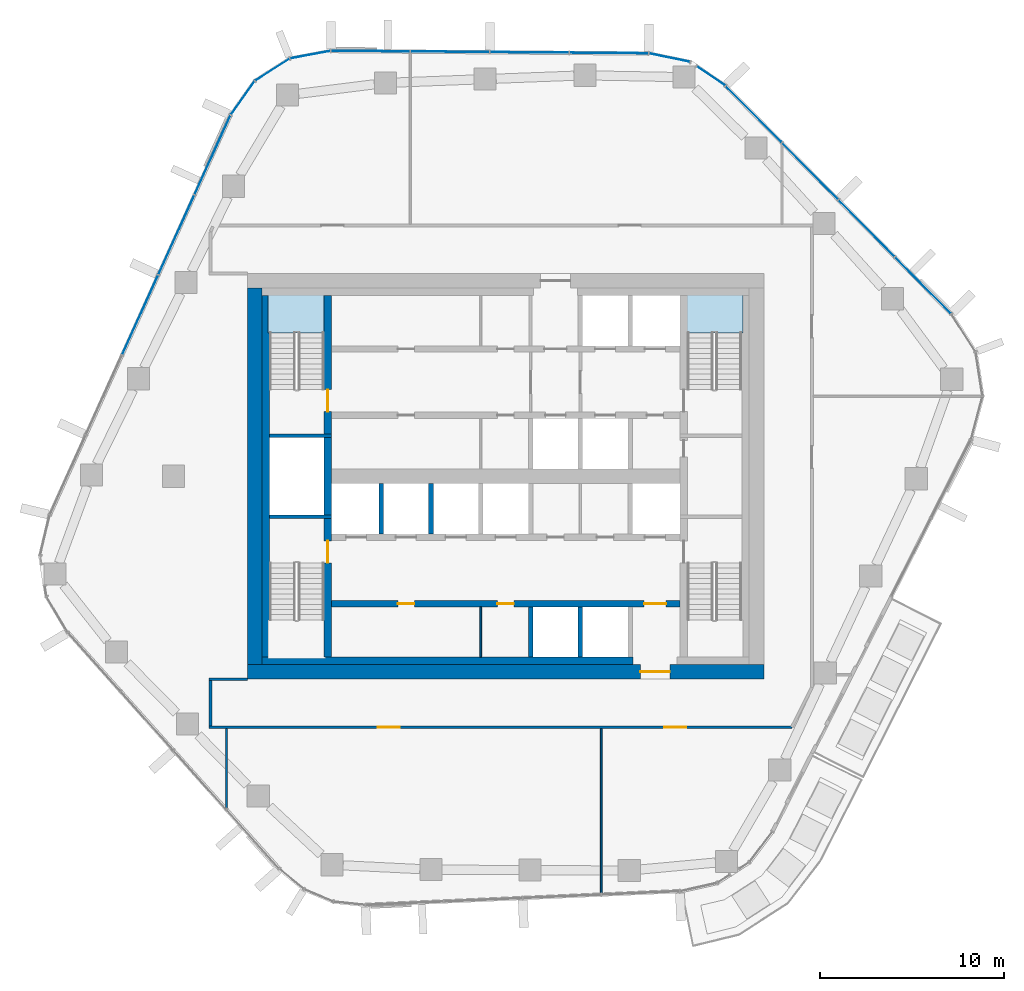
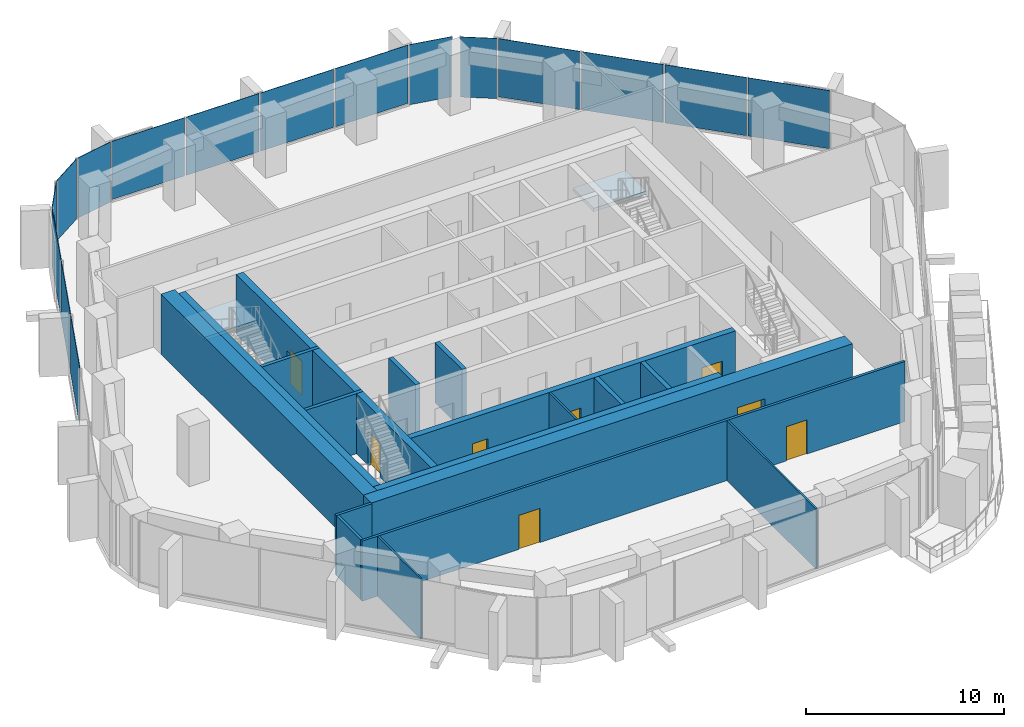
# One storey, part 10 of 17: 20 walls, 16 plates, 8 doors, 2 slabs, 8 openings, 8 elements without a shape of their own.
"""IFC4 building model written with IfcOpenShell, lengths in metres."""

from ifc_helpers import new_model, si_unit, direction, frame, frame_2d, origin, origin_2d, place, context, subcontext, project, spatial, polyline, rectangle, outline, extrude, material, layer, layer_set, type_object, element, fill, aggregate, save


model = new_model("IFC4")

# Units and contexts
model_context = context("Model", 3, precision=1e-05, world=origin(), true_north=direction((0.0, 1.0)))
body_context = subcontext(model_context, "Body", "Model", "MODEL_VIEW")
ifc_project = project(units=[si_unit("LENGTHUNIT", "METRE"), si_unit("AREAUNIT", "SQUARE_METRE"), si_unit("VOLUMEUNIT", "CUBIC_METRE"), si_unit("PLANEANGLEUNIT", "RADIAN"), si_unit("MASSUNIT", "GRAM", prefix="KILO")], contexts=[model_context])

# Site, building, storey
site_placement = place(None, origin())
site = spatial("IfcSite", under=ifc_project, at=site_placement, CompositionType="ELEMENT")
building_placement = place(site_placement, origin())
building = spatial("IfcBuilding", under=site, at=building_placement, Name="Dongbaek Canopy Tower", CompositionType="ELEMENT")
storey_placement = place(building_placement, frame((0.0, 0.0, 179.60009765625)))
storey = spatial("IfcBuildingStorey", under=building, at=storey_placement, Name="L39", CompositionType="ELEMENT", Elevation=179.60009765625)

# Curtain wall, plates
ifc_material_1 = material(Name="Aluminium 6063-T6 pale anodised", Category="aluminium")
ifc_layer_1 = layer(ifc_material_1, 0.199951171875)
ifc_layer_set_1 = layer_set([ifc_layer_1], Name="CW-1 unitised tower curtain wall")
curtain_wall_type = type_object("IfcCurtainWallType", Name="CW-1 unitised tower curtain wall", PredefinedType="NOTDEFINED", material=ifc_layer_set_1)
curtain_wall_1_placement = place(storey_placement, origin())
curtain_wall_1 = element("IfcCurtainWall", 1, at=curtain_wall_1_placement, inside=storey, type_object=curtain_wall_type, Name="CW-1 curtain wall F0.1", PredefinedType="NOTDEFINED")
ifc_material_2 = material(Name="Clear laminated glass", Category="glass")
ifc_layer_2 = layer(ifc_material_2, 0.028076171875)
ifc_layer_set_2 = layer_set([ifc_layer_2], Name="CW-1 glazed panel 28")
plate_type = type_object("IfcPlateType", Name="CW-1 glazed panel 28", PredefinedType="CURTAIN_PANEL", material=ifc_layer_set_2)
plate_1_placement = place(storey_placement, frame((22.62158203125, 10.3505859375, 0.119873046875), z_axis=(0.0, 0.0, 1.0), x_axis=(-0.703200745857, 0.710991357912, 0.0)))
plate_1 = element("IfcPlate", 2, at=plate_1_placement, type_object=plate_type, Name="CW-1 panel F0.1.1.1", PredefinedType="CURTAIN_PANEL", context=body_context, shape_type="SweptSolid", body=[
    extrude(rectangle(XDim=4.25732421875, YDim=0.028076171875, at=origin_2d()), origin(), (0.0, 0.0, 1.0), 3.580078125),
])
plate_2_placement = place(storey_placement, frame((19.56494140625, 13.44091796875, 0.119873046875), z_axis=(0.0, 0.0, 1.0), x_axis=(-0.703200745857, 0.710991357912, 0.0)))
plate_2 = element("IfcPlate", 3, at=plate_2_placement, type_object=plate_type, Name="CW-1 panel F0.1.2.1", PredefinedType="CURTAIN_PANEL", context=body_context, shape_type="SweptSolid", body=[
    extrude(rectangle(XDim=4.267822265625, YDim=0.028076171875, at=origin_2d()), origin(), (0.0, 0.0, 1.0), 3.580078125),
])
plate_3_placement = place(storey_placement, frame((16.504638671875, 16.534912109375, 0.119873046875), z_axis=(0.0, 0.0, 1.0), x_axis=(-0.703200745857, 0.710991357912, 0.0)))
plate_3 = element("IfcPlate", 4, at=plate_3_placement, type_object=plate_type, Name="CW-1 panel F0.1.3.1", PredefinedType="CURTAIN_PANEL", context=body_context, shape_type="SweptSolid", body=[
    extrude(rectangle(XDim=4.267822265625, YDim=0.028076171875, at=origin_2d()), origin(), (0.0, 0.0, 1.0), 3.580078125),
])
plate_4_placement = place(storey_placement, frame((13.447998046875, 19.62548828125, 0.119873046875), z_axis=(0.0, 0.0, 1.0), x_axis=(-0.703200745857, 0.710991357912, 0.0)))
plate_4 = element("IfcPlate", 5, at=plate_4_placement, type_object=plate_type, Name="CW-1 panel F0.1.4.1", PredefinedType="CURTAIN_PANEL", context=body_context, shape_type="SweptSolid", body=[
    extrude(rectangle(XDim=4.258056640625, YDim=0.028076171875, at=origin_2d()), origin(), (0.0, 0.0, 1.0), 3.580078125),
])
aggregate(curtain_wall_1, [plate_1, plate_2, plate_3, plate_4])

# Curtain wall, plate
curtain_wall_2_placement = place(storey_placement, origin())
curtain_wall_2 = element("IfcCurtainWall", 6, at=curtain_wall_2_placement, inside=storey, type_object=curtain_wall_type, Name="CW-1 curtain wall K1.1a", PredefinedType="NOTDEFINED")
plate_5_placement = place(storey_placement, frame((11.130126953125, 21.704833984375, 0.0), z_axis=(0.0, 0.0, 1.0), x_axis=(-0.828068850106, 0.560626417041, 0.0)))
plate_5 = element("IfcPlate", 7, at=plate_5_placement, type_object=plate_type, Name="CW-1 panel K1.1a.1.1", PredefinedType="CURTAIN_PANEL", context=body_context, shape_type="SweptSolid", body=[
    extrude(rectangle(XDim=1.8271484375, YDim=0.028076171875, at=origin_2d()), origin(), (0.0, 0.0, 1.0), 3.699951171875),
])
aggregate(curtain_wall_2, [plate_5])

curtain_wall_3_placement = place(storey_placement, origin())
curtain_wall_3 = element("IfcCurtainWall", 8, at=curtain_wall_3_placement, inside=storey, type_object=curtain_wall_type, Name="CW-1 curtain wall K1.1b", PredefinedType="NOTDEFINED")
plate_6_placement = place(storey_placement, frame((8.884521484375, 22.694091796875, 0.0), z_axis=(0.0, 0.0, 1.0), x_axis=(-0.979342534744, 0.202208307545, 0.0)))
plate_6 = element("IfcPlate", 9, at=plate_6_placement, type_object=plate_type, Name="CW-1 panel K1.1b.1.1", PredefinedType="CURTAIN_PANEL", context=body_context, shape_type="SweptSolid", body=[
    extrude(rectangle(XDim=2.220458984375, YDim=0.028076171875, at=origin_2d()), origin(), (0.0, 0.0, 1.0), 3.699951171875),
])
aggregate(curtain_wall_3, [plate_6])

# Curtain wall, plates
curtain_wall_4_placement = place(storey_placement, origin())
curtain_wall_4 = element("IfcCurtainWall", 10, at=curtain_wall_4_placement, inside=storey, type_object=curtain_wall_type, Name="CW-1 curtain wall F1.1", PredefinedType="NOTDEFINED")
plate_7_placement = place(storey_placement, frame((5.6044921875, 22.944091796875, 0.119873046875), z_axis=(0.0, 0.0, 1.0), x_axis=(-0.999969209426, 0.007847305301, 0.0)))
plate_7 = element("IfcPlate", 11, at=plate_7_placement, type_object=plate_type, Name="CW-1 panel F1.1.1.1", PredefinedType="CURTAIN_PANEL", context=body_context, shape_type="SweptSolid", body=[
    extrude(rectangle(XDim=4.219482421875, YDim=0.028076171875, at=origin_2d()), origin(), (0.0, 0.0, 1.0), 3.580078125),
])
plate_8_placement = place(storey_placement, frame((1.296142578125, 22.977783203125, 0.119873046875), z_axis=(0.0, 0.0, 1.0), x_axis=(-0.999969209426, 0.007847305301, 0.0)))
plate_8 = element("IfcPlate", 12, at=plate_8_placement, type_object=plate_type, Name="CW-1 panel F1.1.2.1", PredefinedType="CURTAIN_PANEL", context=body_context, shape_type="SweptSolid", body=[
    extrude(rectangle(XDim=4.229248046875, YDim=0.028076171875, at=origin_2d()), origin(), (0.0, 0.0, 1.0), 3.580078125),
])
plate_9_placement = place(storey_placement, frame((-3.016845703125, 23.01171875, 0.119873046875), z_axis=(0.0, 0.0, 1.0), x_axis=(-0.999969209426, 0.007847305301, 0.0)))
plate_9 = element("IfcPlate", 13, at=plate_9_placement, type_object=plate_type, Name="CW-1 panel F1.1.3.1", PredefinedType="CURTAIN_PANEL", context=body_context, shape_type="SweptSolid", body=[
    extrude(rectangle(XDim=4.229248046875, YDim=0.028076171875, at=origin_2d()), origin(), (0.0, 0.0, 1.0), 3.580078125),
])
plate_10_placement = place(storey_placement, frame((-7.3251953125, 23.04541015625, 0.119873046875), z_axis=(0.0, 0.0, 1.0), x_axis=(-0.999969209426, 0.007847305301, 0.0)))
plate_10 = element("IfcPlate", 14, at=plate_10_placement, type_object=plate_type, Name="CW-1 panel F1.1.4.1", PredefinedType="CURTAIN_PANEL", context=body_context, shape_type="SweptSolid", body=[
    extrude(rectangle(XDim=4.219482421875, YDim=0.028076171875, at=origin_2d()), origin(), (0.0, 0.0, 1.0), 3.580078125),
])
aggregate(curtain_wall_4, [plate_7, plate_8, plate_9, plate_10])

curtain_wall_5_placement = place(storey_placement, origin())
curtain_wall_5 = element("IfcCurtainWall", 15, at=curtain_wall_5_placement, inside=storey, type_object=curtain_wall_type, Name="CW-1 curtain wall K2.1", PredefinedType="NOTDEFINED")
plate_11_placement = place(storey_placement, frame((-10.58984375, 22.854736328125, 0.0), z_axis=(0.0, 0.0, 1.0), x_axis=(-0.983033498576, -0.183426117763, 0.0)))
plate_11 = element("IfcPlate", 16, at=plate_11_placement, type_object=plate_type, Name="CW-1 panel K2.1.1.1", PredefinedType="CURTAIN_PANEL", context=body_context, shape_type="SweptSolid", body=[
    extrude(rectangle(XDim=2.180419921875, YDim=0.028076171875, at=origin_2d()), origin(), (0.0, 0.0, 1.0), 3.699951171875),
])
plate_12_placement = place(storey_placement, frame((-12.652587890625, 22.03955078125, 0.0), z_axis=(0.0, 0.0, 1.0), x_axis=(-0.842382800388, -0.538879594724, 0.0)))
plate_12 = element("IfcPlate", 17, at=plate_12_placement, type_object=plate_type, Name="CW-1 panel K2.1.2.1", PredefinedType="CURTAIN_PANEL", context=body_context, shape_type="SweptSolid", body=[
    extrude(rectangle(XDim=2.170654296875, YDim=0.028076171875, at=origin_2d()), origin(), (0.0, 0.0, 1.0), 3.699951171875),
])
plate_13_placement = place(storey_placement, frame((-14.25732421875, 20.508544921875, 0.0), z_axis=(0.0, 0.0, 1.0), x_axis=(-0.578634877813, -0.815586707946, 0.0)))
plate_13 = element("IfcPlate", 18, at=plate_13_placement, type_object=plate_type, Name="CW-1 panel K2.1.3.1", PredefinedType="CURTAIN_PANEL", context=body_context, shape_type="SweptSolid", body=[
    extrude(rectangle(XDim=2.180419921875, YDim=0.028076171875, at=origin_2d()), origin(), (0.0, 0.0, 1.0), 3.699951171875),
])
aggregate(curtain_wall_5, [plate_11, plate_12, plate_13])

curtain_wall_6_placement = place(storey_placement, origin())
curtain_wall_6 = element("IfcCurtainWall", 19, at=curtain_wall_6_placement, inside=storey, type_object=curtain_wall_type, Name="CW-1 curtain wall F2.1", PredefinedType="NOTDEFINED")
plate_14_placement = place(storey_placement, frame((-15.8916015625, 17.420654296875, 0.119873046875), z_axis=(0.0, 0.0, 1.0), x_axis=(-0.412080199763, -0.911147578037, 0.0)))
plate_14 = element("IfcPlate", 20, at=plate_14_placement, type_object=plate_type, Name="CW-1 panel F2.1.1.1", PredefinedType="CURTAIN_PANEL", context=body_context, shape_type="SweptSolid", body=[
    extrude(rectangle(XDim=4.667236328125, YDim=0.028076171875, at=origin_2d()), origin(), (0.0, 0.0, 1.0), 3.580078125),
])
plate_15_placement = place(storey_placement, frame((-17.8515625, 13.0869140625, 0.119873046875), z_axis=(0.0, 0.0, 1.0), x_axis=(-0.412080199763, -0.911147578037, 0.0)))
plate_15 = element("IfcPlate", 21, at=plate_15_placement, type_object=plate_type, Name="CW-1 panel F2.1.2.1", PredefinedType="CURTAIN_PANEL", context=body_context, shape_type="SweptSolid", body=[
    extrude(rectangle(XDim=4.677001953125, YDim=0.028076171875, at=origin_2d()), origin(), (0.0, 0.0, 1.0), 3.580078125),
])
plate_16_placement = place(storey_placement, frame((-19.8134765625, 8.7490234375, 0.119873046875), z_axis=(0.0, 0.0, 1.0), x_axis=(-0.412080199763, -0.911147578037, 0.0)))
plate_16 = element("IfcPlate", 22, at=plate_16_placement, type_object=plate_type, Name="CW-1 panel F2.1.3.1", PredefinedType="CURTAIN_PANEL", context=body_context, shape_type="SweptSolid", body=[
    extrude(rectangle(XDim=4.677001953125, YDim=0.028076171875, at=origin_2d()), origin(), (0.0, 0.0, 1.0), 3.580078125),
])
aggregate(curtain_wall_6, [plate_14, plate_15, plate_16])

# Stair, slab
ifc_material_3 = material(Name="Concrete C40/50", Category="concrete")
stair_type = type_object("IfcStairType", Name="Core exit stair", PredefinedType="HALF_TURN_STAIR", material=ifc_material_3)
stair_1_placement = place(storey_placement, origin())
stair_1 = element("IfcStair", 23, at=stair_1_placement, inside=storey, type_object=stair_type, Name="L39 exit stair A", PredefinedType="HALF_TURN_STAIR")
ifc_material_4 = material(Name="Concrete C40/50", Category="concrete")
ifc_layer_3 = layer(ifc_material_4, 0.199951171875)
ifc_layer_set_3 = layer_set([ifc_layer_3], Name="Core stair landing 200")
slab_type = type_object("IfcSlabType", Name="Core stair landing 200", PredefinedType="LANDING", material=ifc_layer_set_3)
slab_1_placement = place(storey_placement, frame((0.0, 0.0, 1.89990234375)))
slab_1 = element("IfcSlab", 24, at=slab_1_placement, type_object=slab_type, Name="ST-A landing 1", PredefinedType="LANDING", context=body_context, shape_type="SweptSolid", body=[
    extrude(outline(polyline([(12.875, 7.780029296875), (12.875, 9.875), (9.77490234375, 9.875), (9.77490234375, 7.780029296875), (12.875, 7.780029296875)])), origin(), (0.0, 0.0, 1.0), 0.199951171875),
])
aggregate(stair_1, [slab_1])

stair_2_placement = place(storey_placement, origin())
stair_2 = element("IfcStair", 25, at=stair_2_placement, inside=storey, type_object=stair_type, Name="L39 exit stair C", PredefinedType="HALF_TURN_STAIR")
slab_2_placement = place(storey_placement, frame((0.0, 0.0, 1.89990234375)))
slab_2 = element("IfcSlab", 26, at=slab_2_placement, type_object=slab_type, Name="ST-C landing 1", PredefinedType="LANDING", context=body_context, shape_type="SweptSolid", body=[
    extrude(outline(polyline([(-9.77490234375, 7.780029296875), (-9.77490234375, 9.875), (-12.875, 9.875), (-12.875, 7.780029296875), (-9.77490234375, 7.780029296875)])), origin(), (0.0, 0.0, 1.0), 0.199951171875),
])
aggregate(stair_2, [slab_2])

# Wall, openings, doors
ifc_material_5 = material(Name="Concrete C60/75", Category="concrete")
ifc_layer_4 = layer(ifc_material_5, 0.35009765625)
ifc_layer_set_4 = layer_set([ifc_layer_4], Name="Core lobby wall 350 Concrete C60/75")
wall_type_1 = type_object("IfcWallType", Name="Core lobby wall 350 Concrete C60/75", PredefinedType="SHEAR", material=ifc_layer_set_4)
wall_1_placement = place(storey_placement, frame((9.449951171875, -6.89990234375, 0.0), z_axis=(0.0, 0.0, 1.0), x_axis=(-1.0, 0.0, 0.0)))
wall_1 = element("IfcWall", 27, at=wall_1_placement, inside=storey, type_object=wall_type_1, Name="Core wall", PredefinedType="SHEAR", context=body_context, shape_type="SweptSolid", body=[
    extrude(rectangle(XDim=18.89990234375, YDim=0.35009765625, at=frame_2d((9.449951171875, 0.0))), origin(), (0.0, 0.0, 1.0), 3.699951171875),
])
opening_1_placement = place(wall_1_placement, frame((0.75, 0.0, 0.0)))
opening_1 = element("IfcOpeningElement", 28, at=opening_1_placement, cuts=wall_1, Name="Opening L39-D021", PredefinedType="OPENING", context=body_context, shape_type="SweptSolid", body=[
    extrude(rectangle(XDim=1.199951171875, YDim=2.10009765625, at=frame_2d((0.60009765625, 1.050048828125))), frame((0.0, 0.18505859375, 0.0), z_axis=(0.0, -1.0, 0.0), x_axis=(1.0, 0.0, 0.0)), (0.0, 0.0, 1.0), 0.3701171875),
])
opening_2_placement = place(wall_1_placement, frame((14.39990234375, 0.0, 0.0)))
opening_2 = element("IfcOpeningElement", 29, at=opening_2_placement, cuts=wall_1, Name="Opening L39-D028", PredefinedType="OPENING", context=body_context, shape_type="SweptSolid", body=[
    extrude(rectangle(XDim=0.89990234375, YDim=2.10009765625, at=frame_2d((0.449951171875, 1.050048828125))), frame((0.0, 0.18505859375, 0.0), z_axis=(0.0, -1.0, 0.0), x_axis=(1.0, 0.0, 0.0)), (0.0, 0.0, 1.0), 0.3701171875),
])
opening_3_placement = place(wall_1_placement, frame((9.0, 0.0, 0.0)))
opening_3 = element("IfcOpeningElement", 30, at=opening_3_placement, cuts=wall_1, Name="Opening L39-D029", PredefinedType="OPENING", context=body_context, shape_type="SweptSolid", body=[
    extrude(rectangle(XDim=0.89990234375, YDim=2.10009765625, at=frame_2d((0.449951171875, 1.050048828125))), frame((0.0, 0.18505859375, 0.0), z_axis=(0.0, -1.0, 0.0), x_axis=(1.0, 0.0, 0.0)), (0.0, 0.0, 1.0), 0.3701171875),
])
ifc_material_6 = material(Name="Steel", Category="steel")
door_type_1 = type_object("IfcDoorType", Name="Core room door 900 x 2100", OperationType="SINGLE_SWING_LEFT", PredefinedType="DOOR", material=ifc_material_6)
door_1_placement = place(opening_2_placement, origin())
door_1 = element("IfcDoor", 31, at=door_1_placement, inside=storey, type_object=door_type_1, Name="Door L39-D028", OperationType="SINGLE_SWING_RIGHT", OverallHeight=2.10009765625, OverallWidth=0.89990234375, PredefinedType="DOOR", context=body_context, shape_type="SweptSolid", body=[
    extrude(rectangle(XDim=0.89990234375, YDim=2.10009765625, at=frame_2d((0.449951171875, 1.050048828125))), frame((0.0, 0.02490234375, 0.0), z_axis=(0.0, -1.0, 0.0), x_axis=(1.0, 0.0, 0.0)), (0.0, 0.0, 1.0), 0.050048828125),
])
fill(opening_2, door_1)
door_2_placement = place(opening_3_placement, origin())
door_2 = element("IfcDoor", 32, at=door_2_placement, inside=storey, type_object=door_type_1, Name="Door L39-D029", OperationType="SINGLE_SWING_LEFT", OverallHeight=2.10009765625, OverallWidth=0.89990234375, PredefinedType="DOOR", context=body_context, shape_type="SweptSolid", body=[
    extrude(rectangle(XDim=0.89990234375, YDim=2.10009765625, at=frame_2d((0.449951171875, 1.050048828125))), frame((0.0, 0.02490234375, 0.0), z_axis=(0.0, -1.0, 0.0), x_axis=(1.0, 0.0, 0.0)), (0.0, 0.0, 1.0), 0.050048828125),
])
fill(opening_3, door_2)
ifc_material_7 = material(Name="Steel", Category="steel")
door_type_2 = type_object("IfcDoorType", Name="Fire lobby door 1200 x 2100", OperationType="SINGLE_SWING_LEFT", PredefinedType="DOOR", material=ifc_material_7)
door_3_placement = place(opening_1_placement, origin())
door_3 = element("IfcDoor", 33, at=door_3_placement, inside=storey, type_object=door_type_2, Name="Door L39-D021", OperationType="SINGLE_SWING_LEFT", OverallHeight=2.10009765625, OverallWidth=1.199951171875, PredefinedType="DOOR", context=body_context, shape_type="SweptSolid", body=[
    extrude(rectangle(XDim=1.199951171875, YDim=2.10009765625, at=frame_2d((0.60009765625, 1.050048828125))), frame((0.0, 0.02490234375, 0.0), z_axis=(0.0, -1.0, 0.0), x_axis=(1.0, 0.0, 0.0)), (0.0, 0.0, 1.0), 0.050048828125),
])
fill(opening_1, door_3)

# Wall, opening, door
ifc_material_8 = material(Name="Concrete C70/85", Category="concrete")
ifc_layer_5 = layer(ifc_material_8, 0.800048828125)
ifc_layer_set_5 = layer_set([ifc_layer_5], Name="Core outer wall 800 Concrete C70/85")
wall_type_2 = type_object("IfcWallType", Name="Core outer wall 800 Concrete C70/85", PredefinedType="SHEAR", material=ifc_layer_set_5)
wall_2_placement = place(storey_placement, frame((14.0, -10.60009765625, 0.0), z_axis=(0.0, 0.0, 1.0), x_axis=(-1.0, 0.0, 0.0)))
wall_2 = element("IfcWall", 34, at=wall_2_placement, inside=storey, type_object=wall_type_2, Name="Core wall", PredefinedType="SHEAR", context=body_context, shape_type="SweptSolid", body=[
    extrude(rectangle(XDim=28.0, YDim=0.800048828125, at=frame_2d((14.0, 0.0))), origin(), (0.0, 0.0, 1.0), 3.699951171875),
])
opening_4_placement = place(wall_2_placement, frame((5.10009765625, 0.0, 0.0)))
opening_4 = element("IfcOpeningElement", 35, at=opening_4_placement, cuts=wall_2, Name="Opening L39-D020", PredefinedType="OPENING", context=body_context, shape_type="SweptSolid", body=[
    extrude(rectangle(XDim=1.60009765625, YDim=2.10009765625, at=frame_2d((0.800048828125, 1.050048828125))), frame((0.0, 0.409912109375, 0.0), z_axis=(0.0, -1.0, 0.0), x_axis=(1.0, 0.0, 0.0)), (0.0, 0.0, 1.0), 0.820068359375),
])
ifc_material_9 = material(Name="Steel", Category="steel")
door_type_3 = type_object("IfcDoorType", Name="Core exit door 1600 x 2100", OperationType="DOUBLE_DOOR_SINGLE_SWING", PredefinedType="DOOR", material=ifc_material_9)
door_4_placement = place(opening_4_placement, origin())
door_4 = element("IfcDoor", 36, at=door_4_placement, inside=storey, type_object=door_type_3, Name="Core exit door", OperationType="DOUBLE_DOOR_SINGLE_SWING", OverallHeight=2.10009765625, OverallWidth=1.60009765625, PredefinedType="DOOR", context=body_context, shape_type="SweptSolid", body=[
    extrude(rectangle(XDim=1.60009765625, YDim=2.10009765625, at=frame_2d((0.800048828125, 1.050048828125))), frame((0.0, 0.02490234375, 0.0), z_axis=(0.0, -1.0, 0.0), x_axis=(1.0, 0.0, 0.0)), (0.0, 0.0, 1.0), 0.050048828125),
])
fill(opening_4, door_4)

# Walls
wall_3_placement = place(storey_placement, frame((-13.60009765625, -10.199951171875, 0.0), z_axis=(0.0, 0.0, 1.0), x_axis=(0.0, 1.0, 0.0)))
element("IfcWall", 37, at=wall_3_placement, inside=storey, type_object=wall_type_2, Name="Core wall", PredefinedType="SHEAR", context=body_context, shape_type="SweptSolid", body=[
    extrude(rectangle(XDim=20.39990234375, YDim=0.800048828125, at=frame_2d((10.199951171875, 0.0))), origin(), (0.0, 0.0, 1.0), 3.699951171875),
])
ifc_material_10 = material(Name="Concrete C60/75", Category="concrete")
ifc_layer_6 = layer(ifc_material_10, 0.39990234375)
ifc_layer_set_6 = layer_set([ifc_layer_6], Name="Core wall lining 400 Concrete C60/75")
wall_type_3 = type_object("IfcWallType", Name="Core wall lining 400 Concrete C60/75", PredefinedType="SHEAR", material=ifc_layer_set_6)
wall_4_placement = place(storey_placement, frame((6.89990234375, -10.0, 0.0), z_axis=(0.0, 0.0, 1.0), x_axis=(-1.0, 0.0, 0.0)))
element("IfcWall", 38, at=wall_4_placement, inside=storey, type_object=wall_type_3, Name="Core wall lining", PredefinedType="SHEAR", context=body_context, shape_type="SweptSolid", body=[
    extrude(rectangle(XDim=20.099853515625, YDim=0.39990234375, at=frame_2d((10.0498046875, 0.0))), origin(), (0.0, 0.0, 1.0), 3.699951171875),
])
wall_5_placement = place(storey_placement, frame((-13.0, -9.800048828125, 0.0), z_axis=(0.0, 0.0, 1.0), x_axis=(0.0, 1.0, 0.0)))
element("IfcWall", 39, at=wall_5_placement, inside=storey, type_object=wall_type_3, Name="Core wall lining", PredefinedType="SHEAR", context=body_context, shape_type="SweptSolid", body=[
    extrude(rectangle(XDim=19.60009765625, YDim=0.39990234375, at=frame_2d((9.800048828125, 0.0))), origin(), (0.0, 0.0, 1.0), 3.699951171875),
])

# Wall, openings, doors
ifc_material_11 = material(Name="Gypsum board partition, steel stud, 2 x 15 mm fire board", Category="steel")
ifc_layer_7 = layer(ifc_material_11, 0.14990234375)
ifc_layer_set_7 = layer_set([ifc_layer_7], Name="Fire-rated partition 150 gypsum board")
wall_type_4 = type_object("IfcWallType", Name="Fire-rated partition 150 gypsum board", PredefinedType="PARTITIONING", material=ifc_layer_set_7)
wall_6_placement = place(storey_placement, frame((15.51025390625, -13.60009765625, 0.0), z_axis=(0.0, 0.0, 1.0), x_axis=(-1.0, 0.0, 0.0)))
wall_6 = element("IfcWall", 40, at=wall_6_placement, inside=storey, type_object=wall_type_4, Name="Corridor partition", PredefinedType="PARTITIONING", context=body_context, shape_type="SweptSolid", body=[
    extrude(rectangle(XDim=31.585205078125, YDim=0.14990234375, at=frame_2d((15.79248046875, 0.0))), origin(), (0.0, 0.0, 1.0), 3.699951171875),
])
opening_5_placement = place(wall_6_placement, frame((21.252685546875, 0.0, 0.0)))
opening_5 = element("IfcOpeningElement", 41, at=opening_5_placement, cuts=wall_6, Name="Opening L39-D001", PredefinedType="OPENING", context=body_context, shape_type="SweptSolid", body=[
    extrude(rectangle(XDim=1.199951171875, YDim=2.10009765625, at=frame_2d((0.60009765625, 1.050048828125))), frame((0.0, 0.0849609375, 0.0), z_axis=(0.0, -1.0, 0.0), x_axis=(1.0, 0.0, 0.0)), (0.0, 0.0, 1.0), 0.169921875),
])
opening_6_placement = place(wall_6_placement, frame((5.715087890625, 0.0, 0.0)))
opening_6 = element("IfcOpeningElement", 42, at=opening_6_placement, cuts=wall_6, Name="Opening L39-D002", PredefinedType="OPENING", context=body_context, shape_type="SweptSolid", body=[
    extrude(rectangle(XDim=1.199951171875, YDim=2.10009765625, at=frame_2d((0.60009765625, 1.050048828125))), frame((0.0, 0.0849609375, 0.0), z_axis=(0.0, -1.0, 0.0), x_axis=(1.0, 0.0, 0.0)), (0.0, 0.0, 1.0), 0.169921875),
])
ifc_material_12 = material(Name="Timber veneered door leaf", Category="wood")
door_type_4 = type_object("IfcDoorType", Name="Room door 1200 x 2100", OperationType="SINGLE_SWING_LEFT", PredefinedType="DOOR", material=ifc_material_12)
door_5_placement = place(opening_5_placement, origin())
door_5 = element("IfcDoor", 43, at=door_5_placement, inside=storey, type_object=door_type_4, Name="Door L39-D001", OperationType="SINGLE_SWING_RIGHT", OverallHeight=2.10009765625, OverallWidth=1.199951171875, PredefinedType="DOOR", context=body_context, shape_type="SweptSolid", body=[
    extrude(rectangle(XDim=1.199951171875, YDim=2.10009765625, at=frame_2d((0.60009765625, 1.050048828125))), frame((0.0, 0.02490234375, 0.0), z_axis=(0.0, -1.0, 0.0), x_axis=(1.0, 0.0, 0.0)), (0.0, 0.0, 1.0), 0.050048828125),
])
fill(opening_5, door_5)
door_6_placement = place(opening_6_placement, origin())
door_6 = element("IfcDoor", 44, at=door_6_placement, inside=storey, type_object=door_type_4, Name="Door L39-D002", OperationType="SINGLE_SWING_LEFT", OverallHeight=2.10009765625, OverallWidth=1.199951171875, PredefinedType="DOOR", context=body_context, shape_type="SweptSolid", body=[
    extrude(rectangle(XDim=1.199951171875, YDim=2.10009765625, at=frame_2d((0.60009765625, 1.050048828125))), frame((0.0, 0.02490234375, 0.0), z_axis=(0.0, -1.0, 0.0), x_axis=(1.0, 0.0, 0.0)), (0.0, 0.0, 1.0), 0.050048828125),
])
fill(opening_6, door_6)

# Walls
wall_7_placement = place(storey_placement, frame((-16.074951171875, -10.9970703125, 0.0), z_axis=(0.0, 0.0, 1.0), x_axis=(1.0, 0.0, 0.0)))
element("IfcWall", 45, at=wall_7_placement, inside=storey, type_object=wall_type_4, Name="Corridor partition", PredefinedType="PARTITIONING", context=body_context, shape_type="SweptSolid", body=[
    extrude(rectangle(XDim=2.074951171875, YDim=0.14990234375, at=frame_2d((1.03759765625, 0.0))), origin(), (0.0, 0.0, 1.0), 3.699951171875),
])
wall_8_placement = place(storey_placement, frame((-16.0, -13.52490234375, 0.0), z_axis=(0.0, 0.0, 1.0), x_axis=(0.0, 1.0, 0.0)))
element("IfcWall", 46, at=wall_8_placement, inside=storey, type_object=wall_type_4, Name="Corridor partition", PredefinedType="PARTITIONING", context=body_context, shape_type="SweptSolid", body=[
    extrude(rectangle(XDim=2.452880859375, YDim=0.14990234375, at=frame_2d((1.2265625, 0.0))), origin(), (0.0, 0.0, 1.0), 3.699951171875),
])
ifc_material_13 = material(Name="Concrete C40/50", Category="concrete")
ifc_layer_8 = layer(ifc_material_13, 0.25)
ifc_layer_set_8 = layer_set([ifc_layer_8], Name="Lift shaft wall 250 Concrete C40/50")
wall_type_5 = type_object("IfcWallType", Name="Lift shaft wall 250 Concrete C40/50", PredefinedType="SOLIDWALL", material=ifc_layer_set_8)
for number, where, z_axis, x_axis, name in (
    (47, (4.050048828125, -9.800048828125, 0.0), (0.0, 0.0, 1.0), (0.0, 1.0, 0.0), "Lift shaft wall"),
    (48, (1.35009765625, -9.800048828125, 0.0), (0.0, 0.0, 1.0), (0.0, 1.0, 0.0), "Lift shaft wall"),
    (49, (-4.050048828125, -3.125, 0.0), (0.0, 0.0, 1.0), (0.0, 1.0, 0.0), "Lift shaft wall"),
    (50, (-6.75, -3.125, 0.0), (0.0, 0.0, 1.0), (0.0, 1.0, 0.0), "Lift shaft wall"),
):
    element("IfcWall", number, at=place(storey_placement, frame(where, z_axis=z_axis, x_axis=x_axis)), inside=storey, type_object=wall_type_5, Name=name, PredefinedType="SOLIDWALL", context=body_context, shape_type="SweptSolid", body=[
        extrude(rectangle(XDim=2.72509765625, YDim=0.25, at=frame_2d((1.362548828125, 0.0))), origin(), (0.0, 0.0, 1.0), 3.699951171875),
    ])
ifc_material_14 = material(Name="Gypsum board partition, steel stud, 2 x 12.5 mm board", Category="steel")
ifc_layer_9 = layer(ifc_material_14, 0.10009765625)
ifc_layer_set_9 = layer_set([ifc_layer_9], Name="Partition 100 gypsum board")
wall_type_6 = type_object("IfcWallType", Name="Partition 100 gypsum board", PredefinedType="PARTITIONING", material=ifc_layer_set_9)
wall_9_placement = place(storey_placement, frame((5.18310546875, -22.66259765625, 0.0), z_axis=(0.0, 0.0, 1.0), x_axis=(0.0, 1.0, 0.0)))
element("IfcWall", 51, at=wall_9_placement, inside=storey, type_object=wall_type_6, Name="Partition", PredefinedType="PARTITIONING", context=body_context, shape_type="SweptSolid", body=[
    extrude(rectangle(XDim=8.987548828125, YDim=0.10009765625, at=frame_2d((4.49365234375, 0.0))), origin(), (0.0, 0.0, 1.0), 3.699951171875),
])
wall_10_placement = place(storey_placement, frame((-15.135009765625, -18.04638671875, 0.0), z_axis=(0.0, 0.0, 1.0), x_axis=(0.0, 1.0, 0.0)))
element("IfcWall", 52, at=wall_10_placement, inside=storey, type_object=wall_type_6, Name="Partition", PredefinedType="PARTITIONING", context=body_context, shape_type="SweptSolid", body=[
    extrude(rectangle(XDim=4.371337890625, YDim=0.10009765625, at=frame_2d((2.185546875, 0.0))), origin(), (0.0, 0.0, 1.0), 3.699951171875),
])
wall_11_placement = place(storey_placement, frame((-1.35009765625, -9.800048828125, 0.0), z_axis=(0.0, 0.0, 1.0), x_axis=(0.0, 1.0, 0.0)))
element("IfcWall", 53, at=wall_11_placement, inside=storey, type_object=wall_type_6, Name="Core partition", PredefinedType="PARTITIONING", context=body_context, shape_type="SweptSolid", body=[
    extrude(rectangle(XDim=2.72509765625, YDim=0.10009765625, at=frame_2d((1.362548828125, 0.0))), origin(), (0.0, 0.0, 1.0), 3.699951171875),
])
ifc_material_15 = material(Name="Concrete C60/75", Category="concrete")
ifc_layer_10 = layer(ifc_material_15, 0.199951171875)
ifc_layer_set_10 = layer_set([ifc_layer_10], Name="Riser wall 200 Concrete C60/75")
wall_type_7 = type_object("IfcWallType", Name="Riser wall 200 Concrete C60/75", PredefinedType="SHEAR", material=ifc_layer_set_10)
for number, where, z_axis, x_axis, name in (
    (54, (-9.449951171875, 2.199951171875, 0.0), (0.0, 0.0, 1.0), (-1.0, 0.0, 0.0), "Riser wall"),
    (55, (-9.449951171875, -2.199951171875, 0.0), (0.0, 0.0, 1.0), (-1.0, 0.0, 0.0), "Riser wall"),
):
    element("IfcWall", number, at=place(storey_placement, frame(where, z_axis=z_axis, x_axis=x_axis)), inside=storey, type_object=wall_type_7, Name=name, PredefinedType="SHEAR", context=body_context, shape_type="SweptSolid", body=[
        extrude(rectangle(XDim=3.35009765625, YDim=0.199951171875, at=frame_2d((1.675048828125, 0.0))), origin(), (0.0, 0.0, 1.0), 3.699951171875),
    ])

# Wall, opening, door
ifc_material_16 = material(Name="Concrete C60/75", Category="concrete")
ifc_layer_11 = layer(ifc_material_16, 0.39990234375)
ifc_layer_set_11 = layer_set([ifc_layer_11], Name="Stair wall 400 Concrete C60/75")
wall_type_8 = type_object("IfcWallType", Name="Stair wall 400 Concrete C60/75", PredefinedType="SHEAR", material=ifc_layer_set_11)
wall_12_placement = place(storey_placement, frame((-9.64990234375, -9.800048828125, 0.0), z_axis=(0.0, 0.0, 1.0), x_axis=(0.0, 1.0, 0.0)))
wall_12 = element("IfcWall", 56, at=wall_12_placement, inside=storey, type_object=wall_type_8, Name="Stair wall", PredefinedType="SHEAR", context=body_context, shape_type="SweptSolid", body=[
    extrude(rectangle(XDim=7.5, YDim=0.39990234375, at=frame_2d((3.75, 0.0))), origin(), (0.0, 0.0, 1.0), 3.699951171875),
])
opening_7_placement = place(wall_12_placement, frame((5.10009765625, 0.0, 0.0)))
opening_7 = element("IfcOpeningElement", 57, at=opening_7_placement, cuts=wall_12, Name="Opening L39-D033", PredefinedType="OPENING", context=body_context, shape_type="SweptSolid", body=[
    extrude(rectangle(XDim=1.199951171875, YDim=2.10009765625, at=frame_2d((0.60009765625, 1.050048828125))), frame((0.0, 0.2099609375, 0.0), z_axis=(0.0, -1.0, 0.0), x_axis=(1.0, 0.0, 0.0)), (0.0, 0.0, 1.0), 0.419921875),
])
ifc_material_17 = material(Name="Steel", Category="steel")
door_type_5 = type_object("IfcDoorType", Name="Stair door 1200 x 2100", OperationType="SINGLE_SWING_LEFT", PredefinedType="DOOR", material=ifc_material_17)
door_7_placement = place(opening_7_placement, origin())
door_7 = element("IfcDoor", 58, at=door_7_placement, inside=storey, type_object=door_type_5, Name="Stair D door", OperationType="SINGLE_SWING_LEFT", OverallHeight=2.10009765625, OverallWidth=1.199951171875, PredefinedType="DOOR", context=body_context, shape_type="SweptSolid", body=[
    extrude(rectangle(XDim=1.199951171875, YDim=2.10009765625, at=frame_2d((0.60009765625, 1.050048828125))), frame((0.0, 0.02490234375, 0.0), z_axis=(0.0, -1.0, 0.0), x_axis=(1.0, 0.0, 0.0)), (0.0, 0.0, 1.0), 0.050048828125),
])
fill(opening_7, door_7)

# Wall
wall_13_placement = place(storey_placement, frame((-9.64990234375, -2.10009765625, 0.0), z_axis=(0.0, 0.0, 1.0), x_axis=(0.0, 1.0, 0.0)))
element("IfcWall", 59, at=wall_13_placement, inside=storey, type_object=wall_type_8, Name="Stair wall", PredefinedType="SHEAR", context=body_context, shape_type="SweptSolid", body=[
    extrude(rectangle(XDim=4.2001953125, YDim=0.39990234375, at=frame_2d((2.10009765625, 0.0))), origin(), (0.0, 0.0, 1.0), 3.699951171875),
])

# Wall, opening, door
wall_14_placement = place(storey_placement, frame((-9.64990234375, 2.300048828125, 0.0), z_axis=(0.0, 0.0, 1.0), x_axis=(0.0, 1.0, 0.0)))
wall_14 = element("IfcWall", 60, at=wall_14_placement, inside=storey, type_object=wall_type_8, Name="Stair wall", PredefinedType="SHEAR", context=body_context, shape_type="SweptSolid", body=[
    extrude(rectangle(XDim=7.5, YDim=0.39990234375, at=frame_2d((3.75, 0.0))), origin(), (0.0, 0.0, 1.0), 3.699951171875),
])
opening_8_placement = place(wall_14_placement, frame((1.199951171875, 0.0, 0.0)))
opening_8 = element("IfcOpeningElement", 61, at=opening_8_placement, cuts=wall_14, Name="Opening L39-D031", PredefinedType="OPENING", context=body_context, shape_type="SweptSolid", body=[
    extrude(rectangle(XDim=1.199951171875, YDim=2.10009765625, at=frame_2d((0.60009765625, 1.050048828125))), frame((0.0, 0.2099609375, 0.0), z_axis=(0.0, -1.0, 0.0), x_axis=(1.0, 0.0, 0.0)), (0.0, 0.0, 1.0), 0.419921875),
])
door_8_placement = place(opening_8_placement, origin())
door_8 = element("IfcDoor", 62, at=door_8_placement, inside=storey, type_object=door_type_5, Name="Stair C door", OperationType="SINGLE_SWING_RIGHT", OverallHeight=2.10009765625, OverallWidth=1.199951171875, PredefinedType="DOOR", context=body_context, shape_type="SweptSolid", body=[
    extrude(rectangle(XDim=1.199951171875, YDim=2.10009765625, at=frame_2d((0.60009765625, 1.050048828125))), frame((0.0, 0.02490234375, 0.0), z_axis=(0.0, -1.0, 0.0), x_axis=(1.0, 0.0, 0.0)), (0.0, 0.0, 1.0), 0.050048828125),
])
fill(opening_8, door_8)

save(model, "model.ifc")
